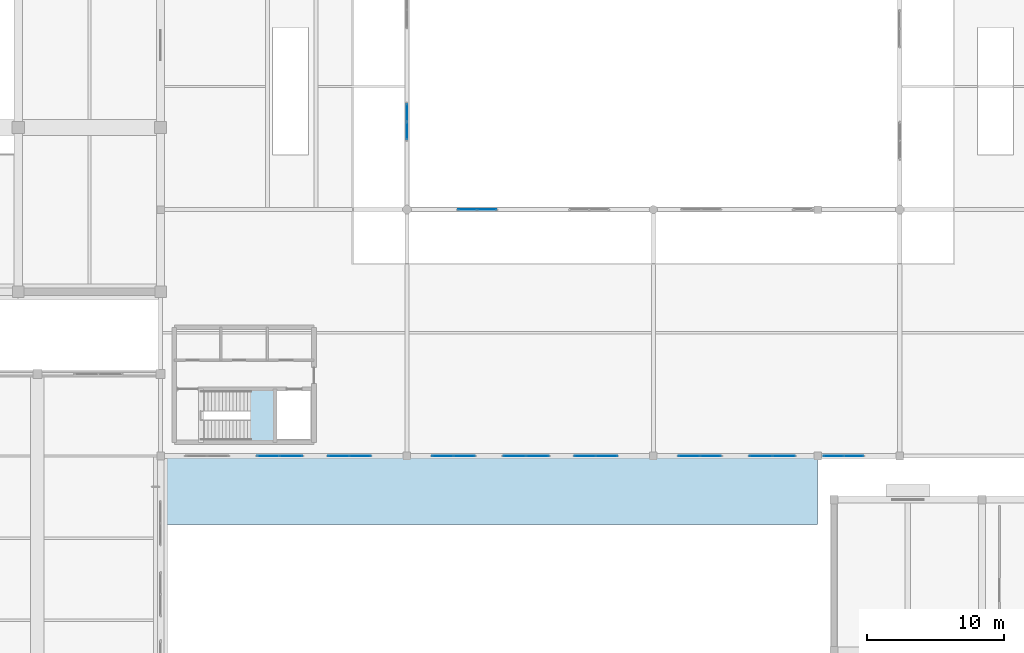
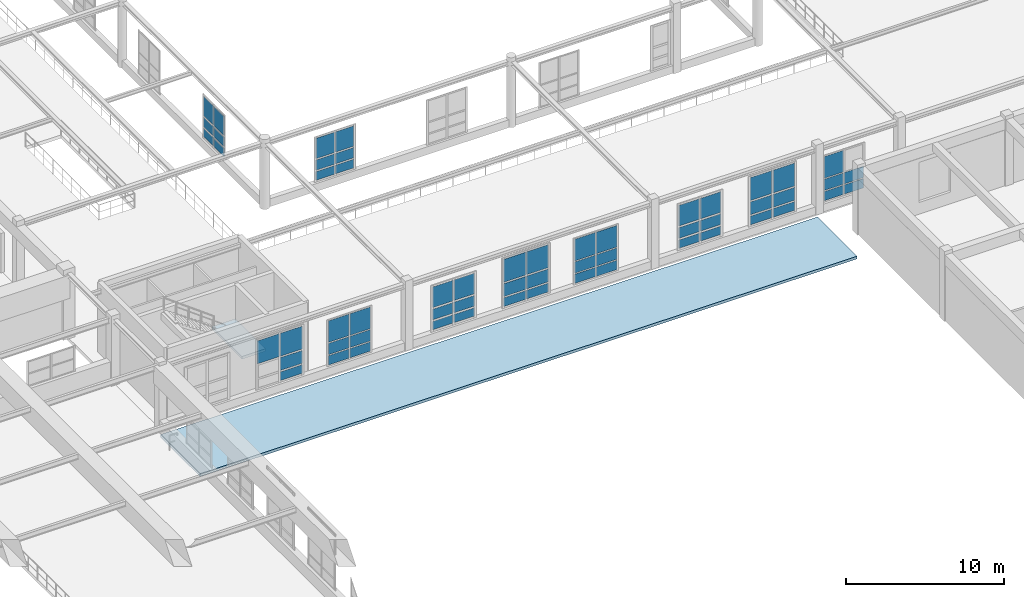
# One storey, part 157 of 197: 57 plates, 2 slabs, 11 elements without a shape of their own.
"""IFC4 building model written with IfcOpenShell, lengths in metres."""

from ifc_helpers import new_model, si_unit, derived_unit, direction, frame, origin, origin_2d, place, context, subcontext, project, spatial, polyline, rectangle, outline, extrude, material, layer, layer_set, type_object, element, aggregate, save


model = new_model("IFC4")

# Units and contexts
model_context = context("Model", 3, precision=1e-05, world=origin(), true_north=direction((0.0, 1.0)))
body_context = subcontext(model_context, "Body", "Model", "MODEL_VIEW")
ifc_project = project(units=[si_unit("LENGTHUNIT", "METRE"), si_unit("AREAUNIT", "SQUARE_METRE"), si_unit("VOLUMEUNIT", "CUBIC_METRE"), si_unit("PLANEANGLEUNIT", "RADIAN"), si_unit("MASSUNIT", "GRAM", prefix="KILO"), derived_unit("THERMALTRANSMITTANCEUNIT", [(si_unit("POWERUNIT", "WATT"), 1), (si_unit("LENGTHUNIT", "METRE"), -2), (si_unit("THERMODYNAMICTEMPERATUREUNIT", "KELVIN"), -1)])], contexts=[model_context])

# Site, building, storey
site_placement = place(None, origin())
site = spatial("IfcSite", under=ifc_project, at=site_placement, CompositionType="ELEMENT")
building_placement = place(site_placement, origin())
building = spatial("IfcBuilding", under=site, at=building_placement, Name="Almenara Railside Exhibition Hall", CompositionType="ELEMENT")
storey_placement = place(building_placement, frame((0.0, 0.0, 5.39990234375)))
storey = spatial("IfcBuildingStorey", under=building, at=storey_placement, Name="L01", CompositionType="ELEMENT", Elevation=5.39990234375)

# Curtain wall, plates
ifc_material_1 = material(Name="Bronze-anodised aluminium and low-E double glazing", Category="aluminium")
ifc_layer_1 = layer(ifc_material_1, 0.179931640625, Name="Bronze-anodised aluminium and low-E double glazing")
ifc_layer_set_1 = layer_set([ifc_layer_1], Name="Bronze-anodised aluminium and low-E double glazing")
curtain_wall_type_1 = type_object("IfcCurtainWallType", Name="Concourse Upper Portale Curtain Wall 3400x3900", PredefinedType="NOTDEFINED", material=ifc_layer_set_1)
curtain_wall_1_placement = place(storey_placement, origin())
curtain_wall_1 = element("IfcCurtainWall", 1, at=curtain_wall_1_placement, inside=storey, type_object=curtain_wall_type_1, Name="Curtain wall CW-PC2-120", PredefinedType="NOTDEFINED")
ifc_material_2 = material(Name="Solar-control acoustic laminated glazing", Category="glass")
ifc_layer_2 = layer(ifc_material_2, 0.031982421875, Name="Solar-control acoustic laminated glazing")
ifc_layer_set_2 = layer_set([ifc_layer_2], Name="Solar-control acoustic laminated glazing")
plate_type_1 = type_object("IfcPlateType", Name="Acoustic Low-E Double Glazing Panel 32mm", PredefinedType="CURTAIN_PANEL", material=ifc_layer_set_2)
plate_1_placement = place(storey_placement, frame((73.8662109375, 36.0, 2.60400390625), z_axis=(0.0, 0.0, 1.0), x_axis=(1.0, 0.0, 0.0)))
plate_1 = element("IfcPlate", 2, at=plate_1_placement, type_object=plate_type_1, Name="CW-PC2-120 panel 1.3", PredefinedType="CURTAIN_PANEL", context=body_context, shape_type="SweptSolid", body=[
    extrude(rectangle(XDim=1.618408203125, YDim=0.031982421875, at=origin_2d()), origin(), (0.0, 0.0, 1.0), 1.77197265625),
])
plate_2_placement = place(storey_placement, frame((75.53369140625, 36.0, 0.72412109375), z_axis=(0.0, 0.0, 1.0), x_axis=(1.0, 0.0, 0.0)))
plate_2 = element("IfcPlate", 3, at=plate_2_placement, type_object=plate_type_1, Name="CW-PC2-120 panel 2.1", PredefinedType="CURTAIN_PANEL", context=body_context, shape_type="SweptSolid", body=[
    extrude(rectangle(XDim=1.618408203125, YDim=0.031982421875, at=origin_2d()), origin(), (0.0, 0.0, 1.0), 0.672119140625),
])
plate_3_placement = place(storey_placement, frame((75.53369140625, 36.0, 1.50390625), z_axis=(0.0, 0.0, 1.0), x_axis=(1.0, 0.0, 0.0)))
plate_3 = element("IfcPlate", 4, at=plate_3_placement, type_object=plate_type_1, Name="CW-PC2-120 panel 2.2", PredefinedType="CURTAIN_PANEL", context=body_context, shape_type="SweptSolid", body=[
    extrude(rectangle(XDim=1.618408203125, YDim=0.031982421875, at=origin_2d()), origin(), (0.0, 0.0, 1.0), 0.991943359375),
])
plate_4_placement = place(storey_placement, frame((75.53369140625, 36.0, 2.60400390625), z_axis=(0.0, 0.0, 1.0), x_axis=(1.0, 0.0, 0.0)))
plate_4 = element("IfcPlate", 5, at=plate_4_placement, type_object=plate_type_1, Name="CW-PC2-120 panel 2.3", PredefinedType="CURTAIN_PANEL", context=body_context, shape_type="SweptSolid", body=[
    extrude(rectangle(XDim=1.618408203125, YDim=0.031982421875, at=origin_2d()), origin(), (0.0, 0.0, 1.0), 1.77197265625),
])
aggregate(curtain_wall_1, [plate_1, plate_2, plate_3, plate_4])

ifc_layer_3 = layer(ifc_material_1, 0.179931640625, Name="Bronze-anodised aluminium and low-E double glazing")
ifc_layer_set_3 = layer_set([ifc_layer_3], Name="Bronze-anodised aluminium and low-E double glazing")
curtain_wall_type_2 = type_object("IfcCurtainWallType", Name="Concourse Bridge Curtain Wall 3200x3600", PredefinedType="NOTDEFINED", material=ifc_layer_set_3)
curtain_wall_2_placement = place(storey_placement, origin())
curtain_wall_2 = element("IfcCurtainWall", 6, at=curtain_wall_2_placement, inside=storey, type_object=curtain_wall_type_2, Name="Curtain wall CW-PC3-135", PredefinedType="NOTDEFINED")
plate_5_placement = place(storey_placement, frame((104.617431640625, 36.0, 0.744140625), z_axis=(0.0, 0.0, 1.0), x_axis=(1.0, 0.0, 0.0)))
plate_5 = element("IfcPlate", 7, at=plate_5_placement, type_object=plate_type_1, Name="CW-PC3-135 panel 1.1", PredefinedType="CURTAIN_PANEL", context=body_context, shape_type="SweptSolid", body=[
    extrude(rectangle(XDim=1.510986328125, YDim=0.031982421875, at=origin_2d()), origin(), (0.0, 0.0, 1.0), 0.64208984375),
])
plate_6_placement = place(storey_placement, frame((104.617431640625, 36.0, 1.51416015625), z_axis=(0.0, 0.0, 1.0), x_axis=(1.0, 0.0, 0.0)))
plate_6 = element("IfcPlate", 8, at=plate_6_placement, type_object=plate_type_1, Name="CW-PC3-135 panel 1.2", PredefinedType="CURTAIN_PANEL", context=body_context, shape_type="SweptSolid", body=[
    extrude(rectangle(XDim=1.510986328125, YDim=0.031982421875, at=origin_2d()), origin(), (0.0, 0.0, 1.0), 0.822021484375),
])
plate_7_placement = place(storey_placement, frame((104.617431640625, 36.0, 2.4638671875), z_axis=(0.0, 0.0, 1.0), x_axis=(1.0, 0.0, 0.0)))
plate_7 = element("IfcPlate", 9, at=plate_7_placement, type_object=plate_type_1, Name="CW-PC3-135 panel 1.3", PredefinedType="CURTAIN_PANEL", context=body_context, shape_type="SweptSolid", body=[
    extrude(rectangle(XDim=1.510986328125, YDim=0.031982421875, at=origin_2d()), origin(), (0.0, 0.0, 1.0), 1.592041015625),
])
plate_8_placement = place(storey_placement, frame((106.1826171875, 36.0, 0.744140625), z_axis=(0.0, 0.0, 1.0), x_axis=(1.0, 0.0, 0.0)))
plate_8 = element("IfcPlate", 10, at=plate_8_placement, type_object=plate_type_1, Name="CW-PC3-135 panel 2.1", PredefinedType="CURTAIN_PANEL", context=body_context, shape_type="SweptSolid", body=[
    extrude(rectangle(XDim=1.510986328125, YDim=0.031982421875, at=origin_2d()), origin(), (0.0, 0.0, 1.0), 0.64208984375),
])
plate_9_placement = place(storey_placement, frame((106.1826171875, 36.0, 1.51416015625), z_axis=(0.0, 0.0, 1.0), x_axis=(1.0, 0.0, 0.0)))
plate_9 = element("IfcPlate", 11, at=plate_9_placement, type_object=plate_type_1, Name="CW-PC3-135 panel 2.2", PredefinedType="CURTAIN_PANEL", context=body_context, shape_type="SweptSolid", body=[
    extrude(rectangle(XDim=1.510986328125, YDim=0.031982421875, at=origin_2d()), origin(), (0.0, 0.0, 1.0), 0.822021484375),
])
plate_10_placement = place(storey_placement, frame((106.1826171875, 36.0, 2.4638671875), z_axis=(0.0, 0.0, 1.0), x_axis=(1.0, 0.0, 0.0)))
plate_10 = element("IfcPlate", 12, at=plate_10_placement, type_object=plate_type_1, Name="CW-PC3-135 panel 2.3", PredefinedType="CURTAIN_PANEL", context=body_context, shape_type="SweptSolid", body=[
    extrude(rectangle(XDim=1.510986328125, YDim=0.031982421875, at=origin_2d()), origin(), (0.0, 0.0, 1.0), 1.592041015625),
])
aggregate(curtain_wall_2, [plate_5, plate_6, plate_7, plate_8, plate_9, plate_10])

# Slab
ifc_material_3 = material(Name="White standing-seam over Concrete C35/45 vault deck", Category="concrete")
ifc_layer_4 = layer(ifc_material_3, 0.2099609375, Name="White standing-seam over Concrete C35/45 vault deck")
ifc_layer_set_4 = layer_set([ifc_layer_4], Name="White standing-seam over Concrete C35/45 vault deck")
slab_type_1 = type_object("IfcSlabType", Name="Concourse Barrel-Vault Roof Slab 210mm C35/45", PredefinedType="ROOF", material=ifc_layer_set_4)
slab_1_placement = place(storey_placement, frame((0.0, 0.0, -0.599853515625)))
element("IfcSlab", 13, at=slab_1_placement, inside=storey, type_object=slab_type_1, Name="South Forecourt main entrance canopy 027", PredefinedType="ROOF", context=body_context, shape_type="SweptSolid", body=[
    extrude(outline(polyline([(66.0, 31.0), (114.0, 31.0), (114.0, 36.0), (66.0, 36.0), (66.0, 31.0)])), origin(), (0.0, 0.0, 1.0), 0.2099609375),
])

# Curtain wall, plates
curtain_wall_3_placement = place(storey_placement, origin())
curtain_wall_3 = element("IfcCurtainWall", 14, at=curtain_wall_3_placement, inside=storey, type_object=curtain_wall_type_2, Name="Curtain wall CW-PC3-127", PredefinedType="NOTDEFINED")
ifc_material_4 = material(Name="Clear low-E laminated double glazing", Category="glass")
ifc_layer_5 = layer(ifc_material_4, 0.02392578125, Name="Clear low-E laminated double glazing")
ifc_layer_set_5 = layer_set([ifc_layer_5], Name="Clear low-E laminated double glazing")
plate_type_2 = type_object("IfcPlateType", Name="Courtyard Clear Double Glazing Panel 24mm", PredefinedType="CURTAIN_PANEL", material=ifc_layer_set_5)
plate_11_placement = place(storey_placement, frame((86.617431640625, 36.0, 0.744140625), z_axis=(0.0, 0.0, 1.0), x_axis=(1.0, 0.0, 0.0)))
plate_11 = element("IfcPlate", 15, at=plate_11_placement, type_object=plate_type_2, Name="CW-PC3-127 panel 1.1", PredefinedType="CURTAIN_PANEL", context=body_context, shape_type="SweptSolid", body=[
    extrude(rectangle(XDim=1.510986328125, YDim=0.02392578125, at=origin_2d()), origin(), (0.0, 0.0, 1.0), 0.64208984375),
])
plate_12_placement = place(storey_placement, frame((86.617431640625, 36.0, 1.51416015625), z_axis=(0.0, 0.0, 1.0), x_axis=(1.0, 0.0, 0.0)))
plate_12 = element("IfcPlate", 16, at=plate_12_placement, type_object=plate_type_2, Name="CW-PC3-127 panel 1.2", PredefinedType="CURTAIN_PANEL", context=body_context, shape_type="SweptSolid", body=[
    extrude(rectangle(XDim=1.510986328125, YDim=0.02392578125, at=origin_2d()), origin(), (0.0, 0.0, 1.0), 0.822021484375),
])
plate_13_placement = place(storey_placement, frame((86.617431640625, 36.0, 2.4638671875), z_axis=(0.0, 0.0, 1.0), x_axis=(1.0, 0.0, 0.0)))
plate_13 = element("IfcPlate", 17, at=plate_13_placement, type_object=plate_type_2, Name="CW-PC3-127 panel 1.3", PredefinedType="CURTAIN_PANEL", context=body_context, shape_type="SweptSolid", body=[
    extrude(rectangle(XDim=1.510986328125, YDim=0.02392578125, at=origin_2d()), origin(), (0.0, 0.0, 1.0), 1.592041015625),
])
plate_14_placement = place(storey_placement, frame((88.1826171875, 36.0, 0.744140625), z_axis=(0.0, 0.0, 1.0), x_axis=(1.0, 0.0, 0.0)))
plate_14 = element("IfcPlate", 18, at=plate_14_placement, type_object=plate_type_2, Name="CW-PC3-127 panel 2.1", PredefinedType="CURTAIN_PANEL", context=body_context, shape_type="SweptSolid", body=[
    extrude(rectangle(XDim=1.510986328125, YDim=0.02392578125, at=origin_2d()), origin(), (0.0, 0.0, 1.0), 0.64208984375),
])
plate_15_placement = place(storey_placement, frame((88.1826171875, 36.0, 1.51416015625), z_axis=(0.0, 0.0, 1.0), x_axis=(1.0, 0.0, 0.0)))
plate_15 = element("IfcPlate", 19, at=plate_15_placement, type_object=plate_type_2, Name="CW-PC3-127 panel 2.2", PredefinedType="CURTAIN_PANEL", context=body_context, shape_type="SweptSolid", body=[
    extrude(rectangle(XDim=1.510986328125, YDim=0.02392578125, at=origin_2d()), origin(), (0.0, 0.0, 1.0), 0.822021484375),
])
plate_16_placement = place(storey_placement, frame((88.1826171875, 36.0, 2.4638671875), z_axis=(0.0, 0.0, 1.0), x_axis=(1.0, 0.0, 0.0)))
plate_16 = element("IfcPlate", 20, at=plate_16_placement, type_object=plate_type_2, Name="CW-PC3-127 panel 2.3", PredefinedType="CURTAIN_PANEL", context=body_context, shape_type="SweptSolid", body=[
    extrude(rectangle(XDim=1.510986328125, YDim=0.02392578125, at=origin_2d()), origin(), (0.0, 0.0, 1.0), 1.592041015625),
])
aggregate(curtain_wall_3, [plate_11, plate_12, plate_13, plate_14, plate_15, plate_16])

curtain_wall_4_placement = place(storey_placement, origin())
curtain_wall_4 = element("IfcCurtainWall", 21, at=curtain_wall_4_placement, inside=storey, type_object=curtain_wall_type_2, Name="Curtain wall CW-PC3-137", PredefinedType="NOTDEFINED")
plate_17_placement = place(storey_placement, frame((115.17626953125, 36.0, 0.69384765625), z_axis=(0.0, 0.0, 1.0), x_axis=(1.0, 0.0, 0.0)))
plate_17 = element("IfcPlate", 22, at=plate_17_placement, type_object=plate_type_2, Name="CW-PC3-137 panel 1.1", PredefinedType="CURTAIN_PANEL", context=body_context, shape_type="SweptSolid", body=[
    extrude(rectangle(XDim=1.41845703125, YDim=0.02392578125, at=origin_2d()), origin(), (0.0, 0.0, 1.0), 0.717041015625),
])
plate_18_placement = place(storey_placement, frame((115.17626953125, 36.0, 1.489013671875), z_axis=(0.0, 0.0, 1.0), x_axis=(1.0, 0.0, 0.0)))
plate_18 = element("IfcPlate", 23, at=plate_18_placement, type_object=plate_type_2, Name="CW-PC3-137 panel 1.2", PredefinedType="CURTAIN_PANEL", context=body_context, shape_type="SweptSolid", body=[
    extrude(rectangle(XDim=1.41845703125, YDim=0.02392578125, at=origin_2d()), origin(), (0.0, 0.0, 1.0), 0.8720703125),
])
plate_19_placement = place(storey_placement, frame((115.17626953125, 36.0, 2.439208984375), z_axis=(0.0, 0.0, 1.0), x_axis=(1.0, 0.0, 0.0)))
plate_19 = element("IfcPlate", 24, at=plate_19_placement, type_object=plate_type_2, Name="CW-PC3-137 panel 1.3", PredefinedType="CURTAIN_PANEL", context=body_context, shape_type="SweptSolid", body=[
    extrude(rectangle(XDim=1.41845703125, YDim=0.02392578125, at=origin_2d()), origin(), (0.0, 0.0, 1.0), 1.6669921875),
])
plate_20_placement = place(storey_placement, frame((116.638671875, 36.0, 0.69384765625), z_axis=(0.0, 0.0, 1.0), x_axis=(1.0, 0.0, 0.0)))
plate_20 = element("IfcPlate", 25, at=plate_20_placement, type_object=plate_type_2, Name="CW-PC3-137 panel 2.1", PredefinedType="CURTAIN_PANEL", context=body_context, shape_type="SweptSolid", body=[
    extrude(rectangle(XDim=1.41845703125, YDim=0.02392578125, at=origin_2d()), origin(), (0.0, 0.0, 1.0), 0.717041015625),
])
plate_21_placement = place(storey_placement, frame((116.638671875, 36.0, 1.489013671875), z_axis=(0.0, 0.0, 1.0), x_axis=(1.0, 0.0, 0.0)))
plate_21 = element("IfcPlate", 26, at=plate_21_placement, type_object=plate_type_2, Name="CW-PC3-137 panel 2.2", PredefinedType="CURTAIN_PANEL", context=body_context, shape_type="SweptSolid", body=[
    extrude(rectangle(XDim=1.41845703125, YDim=0.02392578125, at=origin_2d()), origin(), (0.0, 0.0, 1.0), 0.8720703125),
])
aggregate(curtain_wall_4, [plate_17, plate_18, plate_19, plate_20, plate_21])

curtain_wall_5_placement = place(storey_placement, origin())
curtain_wall_5 = element("IfcCurtainWall", 27, at=curtain_wall_5_placement, inside=storey, type_object=curtain_wall_type_1, Name="Curtain wall CW-PC2-128", PredefinedType="NOTDEFINED")
ifc_material_5 = material(Name="Bronze-anodised insulated aluminium spandrel", Category="aluminium")
ifc_layer_6 = layer(ifc_material_5, 0.0400390625, Name="Bronze-anodised insulated aluminium spandrel")
ifc_layer_set_6 = layer_set([ifc_layer_6], Name="Bronze-anodised insulated aluminium spandrel")
plate_type_3 = type_object("IfcPlateType", Name="Insulated Bronze Spandrel Panel 40mm", PredefinedType="CURTAIN_PANEL", material=ifc_layer_set_6)
plate_22_placement = place(storey_placement, frame((91.8662109375, 36.0, 0.72412109375), z_axis=(0.0, 0.0, 1.0), x_axis=(1.0, 0.0, 0.0)))
plate_22 = element("IfcPlate", 28, at=plate_22_placement, type_object=plate_type_3, Name="CW-PC2-128 panel 1.1", PredefinedType="CURTAIN_PANEL", context=body_context, shape_type="SweptSolid", body=[
    extrude(rectangle(XDim=1.618408203125, YDim=0.0400390625, at=origin_2d()), origin(), (0.0, 0.0, 1.0), 0.672119140625),
])
plate_23_placement = place(storey_placement, frame((91.8662109375, 36.0, 1.50390625), z_axis=(0.0, 0.0, 1.0), x_axis=(1.0, 0.0, 0.0)))
plate_23 = element("IfcPlate", 29, at=plate_23_placement, type_object=plate_type_3, Name="CW-PC2-128 panel 1.2", PredefinedType="CURTAIN_PANEL", context=body_context, shape_type="SweptSolid", body=[
    extrude(rectangle(XDim=1.618408203125, YDim=0.0400390625, at=origin_2d()), origin(), (0.0, 0.0, 1.0), 0.991943359375),
])
plate_24_placement = place(storey_placement, frame((91.8662109375, 36.0, 2.60400390625), z_axis=(0.0, 0.0, 1.0), x_axis=(1.0, 0.0, 0.0)))
plate_24 = element("IfcPlate", 30, at=plate_24_placement, type_object=plate_type_3, Name="CW-PC2-128 panel 1.3", PredefinedType="CURTAIN_PANEL", context=body_context, shape_type="SweptSolid", body=[
    extrude(rectangle(XDim=1.618408203125, YDim=0.0400390625, at=origin_2d()), origin(), (0.0, 0.0, 1.0), 1.77197265625),
])
plate_25_placement = place(storey_placement, frame((93.53369140625, 36.0, 0.72412109375), z_axis=(0.0, 0.0, 1.0), x_axis=(1.0, 0.0, 0.0)))
plate_25 = element("IfcPlate", 31, at=plate_25_placement, type_object=plate_type_3, Name="CW-PC2-128 panel 2.1", PredefinedType="CURTAIN_PANEL", context=body_context, shape_type="SweptSolid", body=[
    extrude(rectangle(XDim=1.618408203125, YDim=0.0400390625, at=origin_2d()), origin(), (0.0, 0.0, 1.0), 0.672119140625),
])
plate_26_placement = place(storey_placement, frame((93.53369140625, 36.0, 1.50390625), z_axis=(0.0, 0.0, 1.0), x_axis=(1.0, 0.0, 0.0)))
plate_26 = element("IfcPlate", 32, at=plate_26_placement, type_object=plate_type_3, Name="CW-PC2-128 panel 2.2", PredefinedType="CURTAIN_PANEL", context=body_context, shape_type="SweptSolid", body=[
    extrude(rectangle(XDim=1.618408203125, YDim=0.0400390625, at=origin_2d()), origin(), (0.0, 0.0, 1.0), 0.991943359375),
])
plate_27_placement = place(storey_placement, frame((93.53369140625, 36.0, 2.60400390625), z_axis=(0.0, 0.0, 1.0), x_axis=(1.0, 0.0, 0.0)))
plate_27 = element("IfcPlate", 33, at=plate_27_placement, type_object=plate_type_3, Name="CW-PC2-128 panel 2.3", PredefinedType="CURTAIN_PANEL", context=body_context, shape_type="SweptSolid", body=[
    extrude(rectangle(XDim=1.618408203125, YDim=0.0400390625, at=origin_2d()), origin(), (0.0, 0.0, 1.0), 1.77197265625),
])
aggregate(curtain_wall_5, [plate_22, plate_23, plate_24, plate_25, plate_26, plate_27])

curtain_wall_6_placement = place(storey_placement, origin())
curtain_wall_6 = element("IfcCurtainWall", 34, at=curtain_wall_6_placement, inside=storey, type_object=curtain_wall_type_2, Name="Curtain wall CW-PC3-129", PredefinedType="NOTDEFINED")
ifc_layer_7 = layer(ifc_material_5, 0.034912109375, Name="Bronze-anodised insulated aluminium spandrel")
ifc_layer_set_7 = layer_set([ifc_layer_7], Name="Bronze-anodised insulated aluminium spandrel")
plate_type_4 = type_object("IfcPlateType", Name="Insulated Stucco-Tone Spandrel Panel 35mm", PredefinedType="CURTAIN_PANEL", material=ifc_layer_set_7)
plate_28_placement = place(storey_placement, frame((97.014892578125, 36.0, 0.69384765625), z_axis=(0.0, 0.0, 1.0), x_axis=(1.0, 0.0, 0.0)))
plate_28 = element("IfcPlate", 35, at=plate_28_placement, type_object=plate_type_4, Name="CW-PC3-129 panel 1.1", PredefinedType="CURTAIN_PANEL", context=body_context, shape_type="SweptSolid", body=[
    extrude(rectangle(XDim=1.52587890625, YDim=0.034912109375, at=origin_2d()), origin(), (0.0, 0.0, 1.0), 0.717041015625),
])
plate_29_placement = place(storey_placement, frame((97.014892578125, 36.0, 1.489013671875), z_axis=(0.0, 0.0, 1.0), x_axis=(1.0, 0.0, 0.0)))
plate_29 = element("IfcPlate", 36, at=plate_29_placement, type_object=plate_type_4, Name="CW-PC3-129 panel 1.2", PredefinedType="CURTAIN_PANEL", context=body_context, shape_type="SweptSolid", body=[
    extrude(rectangle(XDim=1.52587890625, YDim=0.034912109375, at=origin_2d()), origin(), (0.0, 0.0, 1.0), 0.8720703125),
])
plate_30_placement = place(storey_placement, frame((97.014892578125, 36.0, 2.439208984375), z_axis=(0.0, 0.0, 1.0), x_axis=(1.0, 0.0, 0.0)))
plate_30 = element("IfcPlate", 37, at=plate_30_placement, type_object=plate_type_4, Name="CW-PC3-129 panel 1.3", PredefinedType="CURTAIN_PANEL", context=body_context, shape_type="SweptSolid", body=[
    extrude(rectangle(XDim=1.52587890625, YDim=0.034912109375, at=origin_2d()), origin(), (0.0, 0.0, 1.0), 1.6669921875),
])
plate_31_placement = place(storey_placement, frame((98.5849609375, 36.0, 0.69384765625), z_axis=(0.0, 0.0, 1.0), x_axis=(1.0, 0.0, 0.0)))
plate_31 = element("IfcPlate", 38, at=plate_31_placement, type_object=plate_type_4, Name="CW-PC3-129 panel 2.1", PredefinedType="CURTAIN_PANEL", context=body_context, shape_type="SweptSolid", body=[
    extrude(rectangle(XDim=1.52587890625, YDim=0.034912109375, at=origin_2d()), origin(), (0.0, 0.0, 1.0), 0.717041015625),
])
plate_32_placement = place(storey_placement, frame((98.5849609375, 36.0, 1.489013671875), z_axis=(0.0, 0.0, 1.0), x_axis=(1.0, 0.0, 0.0)))
plate_32 = element("IfcPlate", 39, at=plate_32_placement, type_object=plate_type_4, Name="CW-PC3-129 panel 2.2", PredefinedType="CURTAIN_PANEL", context=body_context, shape_type="SweptSolid", body=[
    extrude(rectangle(XDim=1.52587890625, YDim=0.034912109375, at=origin_2d()), origin(), (0.0, 0.0, 1.0), 0.8720703125),
])
plate_33_placement = place(storey_placement, frame((98.5849609375, 36.0, 2.439208984375), z_axis=(0.0, 0.0, 1.0), x_axis=(1.0, 0.0, 0.0)))
plate_33 = element("IfcPlate", 40, at=plate_33_placement, type_object=plate_type_4, Name="CW-PC3-129 panel 2.3", PredefinedType="CURTAIN_PANEL", context=body_context, shape_type="SweptSolid", body=[
    extrude(rectangle(XDim=1.52587890625, YDim=0.034912109375, at=origin_2d()), origin(), (0.0, 0.0, 1.0), 1.6669921875),
])
aggregate(curtain_wall_6, [plate_28, plate_29, plate_30, plate_31, plate_32, plate_33])

ifc_layer_8 = layer(ifc_material_1, 0.179931640625, Name="Bronze-anodised aluminium and low-E double glazing")
ifc_layer_set_8 = layer_set([ifc_layer_8], Name="Bronze-anodised aluminium and low-E double glazing")
curtain_wall_type_3 = type_object("IfcCurtainWallType", Name="Courtyard East Galeria Curtain Wall 2900x3500", PredefinedType="NOTDEFINED", material=ifc_layer_set_8)
curtain_wall_7_placement = place(storey_placement, origin())
curtain_wall_7 = element("IfcCurtainWall", 41, at=curtain_wall_7_placement, inside=storey, type_object=curtain_wall_type_3, Name="Curtain wall CW-CY2-144", PredefinedType="NOTDEFINED")
plate_34_placement = place(storey_placement, frame((88.423095703125, 54.0, 0.72412109375), z_axis=(0.0, 0.0, 1.0), x_axis=(1.0, 0.0, 0.0)))
plate_34 = element("IfcPlate", 42, at=plate_34_placement, type_object=plate_type_4, Name="CW-CY2-144 panel 1.1", PredefinedType="CURTAIN_PANEL", context=body_context, shape_type="SweptSolid", body=[
    extrude(rectangle(XDim=1.368408203125, YDim=0.034912109375, at=origin_2d()), origin(), (0.0, 0.0, 1.0), 0.672119140625),
])
plate_35_placement = place(storey_placement, frame((88.423095703125, 54.0, 1.504150390625), z_axis=(0.0, 0.0, 1.0), x_axis=(1.0, 0.0, 0.0)))
plate_35 = element("IfcPlate", 43, at=plate_35_placement, type_object=plate_type_4, Name="CW-CY2-144 panel 1.2", PredefinedType="CURTAIN_PANEL", context=body_context, shape_type="SweptSolid", body=[
    extrude(rectangle(XDim=1.368408203125, YDim=0.034912109375, at=origin_2d()), origin(), (0.0, 0.0, 1.0), 0.7919921875),
])
plate_36_placement = place(storey_placement, frame((88.423095703125, 54.0, 2.404296875), z_axis=(0.0, 0.0, 1.0), x_axis=(1.0, 0.0, 0.0)))
plate_36 = element("IfcPlate", 44, at=plate_36_placement, type_object=plate_type_4, Name="CW-CY2-144 panel 1.3", PredefinedType="CURTAIN_PANEL", context=body_context, shape_type="SweptSolid", body=[
    extrude(rectangle(XDim=1.368408203125, YDim=0.034912109375, at=origin_2d()), origin(), (0.0, 0.0, 1.0), 1.572021484375),
])
plate_37_placement = place(storey_placement, frame((89.840576171875, 54.0, 0.72412109375), z_axis=(0.0, 0.0, 1.0), x_axis=(1.0, 0.0, 0.0)))
plate_37 = element("IfcPlate", 45, at=plate_37_placement, type_object=plate_type_4, Name="CW-CY2-144 panel 2.1", PredefinedType="CURTAIN_PANEL", context=body_context, shape_type="SweptSolid", body=[
    extrude(rectangle(XDim=1.368408203125, YDim=0.034912109375, at=origin_2d()), origin(), (0.0, 0.0, 1.0), 0.672119140625),
])
plate_38_placement = place(storey_placement, frame((89.840576171875, 54.0, 1.504150390625), z_axis=(0.0, 0.0, 1.0), x_axis=(1.0, 0.0, 0.0)))
plate_38 = element("IfcPlate", 46, at=plate_38_placement, type_object=plate_type_4, Name="CW-CY2-144 panel 2.2", PredefinedType="CURTAIN_PANEL", context=body_context, shape_type="SweptSolid", body=[
    extrude(rectangle(XDim=1.368408203125, YDim=0.034912109375, at=origin_2d()), origin(), (0.0, 0.0, 1.0), 0.7919921875),
])
plate_39_placement = place(storey_placement, frame((89.840576171875, 54.0, 2.404296875), z_axis=(0.0, 0.0, 1.0), x_axis=(1.0, 0.0, 0.0)))
plate_39 = element("IfcPlate", 47, at=plate_39_placement, type_object=plate_type_4, Name="CW-CY2-144 panel 2.3", PredefinedType="CURTAIN_PANEL", context=body_context, shape_type="SweptSolid", body=[
    extrude(rectangle(XDim=1.368408203125, YDim=0.034912109375, at=origin_2d()), origin(), (0.0, 0.0, 1.0), 1.572021484375),
])
aggregate(curtain_wall_7, [plate_34, plate_35, plate_36, plate_37, plate_38, plate_39])

ifc_layer_9 = layer(ifc_material_1, 0.179931640625, Name="Bronze-anodised aluminium and low-E double glazing")
ifc_layer_set_9 = layer_set([ifc_layer_9], Name="Bronze-anodised aluminium and low-E double glazing")
curtain_wall_type_4 = type_object("IfcCurtainWallType", Name="Courtyard South Galeria Curtain Wall 2700x3400", PredefinedType="NOTDEFINED", material=ifc_layer_set_9)
curtain_wall_8_placement = place(storey_placement, origin())
curtain_wall_8 = element("IfcCurtainWall", 48, at=curtain_wall_8_placement, inside=storey, type_object=curtain_wall_type_4, Name="Curtain wall CW-CY3-159", PredefinedType="NOTDEFINED")
plate_40_placement = place(storey_placement, frame((84.0, 61.080078125, 0.744140625), z_axis=(0.0, 0.0, 1.0), x_axis=(0.0, -1.0, 0.0)))
plate_40 = element("IfcPlate", 49, at=plate_40_placement, type_object=plate_type_4, Name="CW-CY3-159 panel 1.1", PredefinedType="CURTAIN_PANEL", context=body_context, shape_type="SweptSolid", body=[
    extrude(rectangle(XDim=1.260986328125, YDim=0.034912109375, at=origin_2d()), origin(), (0.0, 0.0, 1.0), 0.64208984375),
])
plate_41_placement = place(storey_placement, frame((84.0, 61.080078125, 1.51416015625), z_axis=(0.0, 0.0, 1.0), x_axis=(0.0, -1.0, 0.0)))
plate_41 = element("IfcPlate", 50, at=plate_41_placement, type_object=plate_type_4, Name="CW-CY3-159 panel 1.2", PredefinedType="CURTAIN_PANEL", context=body_context, shape_type="SweptSolid", body=[
    extrude(rectangle(XDim=1.260986328125, YDim=0.034912109375, at=origin_2d()), origin(), (0.0, 0.0, 1.0), 0.721923828125),
])
plate_42_placement = place(storey_placement, frame((84.0, 61.080078125, 2.3642578125), z_axis=(0.0, 0.0, 1.0), x_axis=(0.0, -1.0, 0.0)))
plate_42 = element("IfcPlate", 51, at=plate_42_placement, type_object=plate_type_4, Name="CW-CY3-159 panel 1.3", PredefinedType="CURTAIN_PANEL", context=body_context, shape_type="SweptSolid", body=[
    extrude(rectangle(XDim=1.260986328125, YDim=0.034912109375, at=origin_2d()), origin(), (0.0, 0.0, 1.0), 1.491943359375),
])
plate_43_placement = place(storey_placement, frame((84.0, 59.76513671875, 0.744140625), z_axis=(0.0, 0.0, 1.0), x_axis=(0.0, -1.0, 0.0)))
plate_43 = element("IfcPlate", 52, at=plate_43_placement, type_object=plate_type_4, Name="CW-CY3-159 panel 2.1", PredefinedType="CURTAIN_PANEL", context=body_context, shape_type="SweptSolid", body=[
    extrude(rectangle(XDim=1.260986328125, YDim=0.034912109375, at=origin_2d()), origin(), (0.0, 0.0, 1.0), 0.64208984375),
])
plate_44_placement = place(storey_placement, frame((84.0, 59.76513671875, 1.51416015625), z_axis=(0.0, 0.0, 1.0), x_axis=(0.0, -1.0, 0.0)))
plate_44 = element("IfcPlate", 53, at=plate_44_placement, type_object=plate_type_4, Name="CW-CY3-159 panel 2.2", PredefinedType="CURTAIN_PANEL", context=body_context, shape_type="SweptSolid", body=[
    extrude(rectangle(XDim=1.260986328125, YDim=0.034912109375, at=origin_2d()), origin(), (0.0, 0.0, 1.0), 0.721923828125),
])
plate_45_placement = place(storey_placement, frame((84.0, 59.76513671875, 2.3642578125), z_axis=(0.0, 0.0, 1.0), x_axis=(0.0, -1.0, 0.0)))
plate_45 = element("IfcPlate", 54, at=plate_45_placement, type_object=plate_type_4, Name="CW-CY3-159 panel 2.3", PredefinedType="CURTAIN_PANEL", context=body_context, shape_type="SweptSolid", body=[
    extrude(rectangle(XDim=1.260986328125, YDim=0.034912109375, at=origin_2d()), origin(), (0.0, 0.0, 1.0), 1.491943359375),
])
aggregate(curtain_wall_8, [plate_40, plate_41, plate_42, plate_43, plate_44, plate_45])

curtain_wall_9_placement = place(storey_placement, origin())
curtain_wall_9 = element("IfcCurtainWall", 55, at=curtain_wall_9_placement, inside=storey, type_object=curtain_wall_type_2, Name="Curtain wall CW-PC3-121", PredefinedType="NOTDEFINED")
ifc_material_6 = material(Name="Solar-control low-E laminated double glazing", Category="glass")
ifc_layer_10 = layer(ifc_material_6, 0.028076171875, Name="Solar-control low-E laminated double glazing")
ifc_layer_set_10 = layer_set([ifc_layer_10], Name="Solar-control low-E laminated double glazing")
plate_type_5 = type_object("IfcPlateType", Name="Low-E Solar Control Double Glazing Panel 28mm", PredefinedType="CURTAIN_PANEL", material=ifc_layer_set_10)
plate_46_placement = place(storey_placement, frame((79.014892578125, 36.0, 0.69384765625), z_axis=(0.0, 0.0, 1.0), x_axis=(1.0, 0.0, 0.0)))
plate_46 = element("IfcPlate", 56, at=plate_46_placement, type_object=plate_type_5, Name="CW-PC3-121 panel 1.1", PredefinedType="CURTAIN_PANEL", context=body_context, shape_type="SweptSolid", body=[
    extrude(rectangle(XDim=1.52587890625, YDim=0.028076171875, at=origin_2d()), origin(), (0.0, 0.0, 1.0), 0.717041015625),
])
plate_47_placement = place(storey_placement, frame((79.014892578125, 36.0, 1.489013671875), z_axis=(0.0, 0.0, 1.0), x_axis=(1.0, 0.0, 0.0)))
plate_47 = element("IfcPlate", 57, at=plate_47_placement, type_object=plate_type_5, Name="CW-PC3-121 panel 1.2", PredefinedType="CURTAIN_PANEL", context=body_context, shape_type="SweptSolid", body=[
    extrude(rectangle(XDim=1.52587890625, YDim=0.028076171875, at=origin_2d()), origin(), (0.0, 0.0, 1.0), 0.8720703125),
])
plate_48_placement = place(storey_placement, frame((79.014892578125, 36.0, 2.439208984375), z_axis=(0.0, 0.0, 1.0), x_axis=(1.0, 0.0, 0.0)))
plate_48 = element("IfcPlate", 58, at=plate_48_placement, type_object=plate_type_5, Name="CW-PC3-121 panel 1.3", PredefinedType="CURTAIN_PANEL", context=body_context, shape_type="SweptSolid", body=[
    extrude(rectangle(XDim=1.52587890625, YDim=0.028076171875, at=origin_2d()), origin(), (0.0, 0.0, 1.0), 1.6669921875),
])
plate_49_placement = place(storey_placement, frame((80.5849609375, 36.0, 0.69384765625), z_axis=(0.0, 0.0, 1.0), x_axis=(1.0, 0.0, 0.0)))
plate_49 = element("IfcPlate", 59, at=plate_49_placement, type_object=plate_type_5, Name="CW-PC3-121 panel 2.1", PredefinedType="CURTAIN_PANEL", context=body_context, shape_type="SweptSolid", body=[
    extrude(rectangle(XDim=1.52587890625, YDim=0.028076171875, at=origin_2d()), origin(), (0.0, 0.0, 1.0), 0.717041015625),
])
plate_50_placement = place(storey_placement, frame((80.5849609375, 36.0, 1.489013671875), z_axis=(0.0, 0.0, 1.0), x_axis=(1.0, 0.0, 0.0)))
plate_50 = element("IfcPlate", 60, at=plate_50_placement, type_object=plate_type_5, Name="CW-PC3-121 panel 2.2", PredefinedType="CURTAIN_PANEL", context=body_context, shape_type="SweptSolid", body=[
    extrude(rectangle(XDim=1.52587890625, YDim=0.028076171875, at=origin_2d()), origin(), (0.0, 0.0, 1.0), 0.8720703125),
])
plate_51_placement = place(storey_placement, frame((80.5849609375, 36.0, 2.439208984375), z_axis=(0.0, 0.0, 1.0), x_axis=(1.0, 0.0, 0.0)))
plate_51 = element("IfcPlate", 61, at=plate_51_placement, type_object=plate_type_5, Name="CW-PC3-121 panel 2.3", PredefinedType="CURTAIN_PANEL", context=body_context, shape_type="SweptSolid", body=[
    extrude(rectangle(XDim=1.52587890625, YDim=0.028076171875, at=origin_2d()), origin(), (0.0, 0.0, 1.0), 1.6669921875),
])
aggregate(curtain_wall_9, [plate_46, plate_47, plate_48, plate_49, plate_50, plate_51])

curtain_wall_10_placement = place(storey_placement, origin())
curtain_wall_10 = element("IfcCurtainWall", 62, at=curtain_wall_10_placement, inside=storey, type_object=curtain_wall_type_1, Name="Curtain wall CW-PC2-136", PredefinedType="NOTDEFINED")
plate_52_placement = place(storey_placement, frame((109.8662109375, 36.0, 0.72412109375), z_axis=(0.0, 0.0, 1.0), x_axis=(1.0, 0.0, 0.0)))
plate_52 = element("IfcPlate", 63, at=plate_52_placement, type_object=plate_type_5, Name="CW-PC2-136 panel 1.1", PredefinedType="CURTAIN_PANEL", context=body_context, shape_type="SweptSolid", body=[
    extrude(rectangle(XDim=1.618408203125, YDim=0.028076171875, at=origin_2d()), origin(), (0.0, 0.0, 1.0), 0.672119140625),
])
plate_53_placement = place(storey_placement, frame((109.8662109375, 36.0, 1.50390625), z_axis=(0.0, 0.0, 1.0), x_axis=(1.0, 0.0, 0.0)))
plate_53 = element("IfcPlate", 64, at=plate_53_placement, type_object=plate_type_5, Name="CW-PC2-136 panel 1.2", PredefinedType="CURTAIN_PANEL", context=body_context, shape_type="SweptSolid", body=[
    extrude(rectangle(XDim=1.618408203125, YDim=0.028076171875, at=origin_2d()), origin(), (0.0, 0.0, 1.0), 0.991943359375),
])
plate_54_placement = place(storey_placement, frame((109.8662109375, 36.0, 2.60400390625), z_axis=(0.0, 0.0, 1.0), x_axis=(1.0, 0.0, 0.0)))
plate_54 = element("IfcPlate", 65, at=plate_54_placement, type_object=plate_type_5, Name="CW-PC2-136 panel 1.3", PredefinedType="CURTAIN_PANEL", context=body_context, shape_type="SweptSolid", body=[
    extrude(rectangle(XDim=1.618408203125, YDim=0.028076171875, at=origin_2d()), origin(), (0.0, 0.0, 1.0), 1.77197265625),
])
plate_55_placement = place(storey_placement, frame((111.53369140625, 36.0, 0.72412109375), z_axis=(0.0, 0.0, 1.0), x_axis=(1.0, 0.0, 0.0)))
plate_55 = element("IfcPlate", 66, at=plate_55_placement, type_object=plate_type_5, Name="CW-PC2-136 panel 2.1", PredefinedType="CURTAIN_PANEL", context=body_context, shape_type="SweptSolid", body=[
    extrude(rectangle(XDim=1.618408203125, YDim=0.028076171875, at=origin_2d()), origin(), (0.0, 0.0, 1.0), 0.672119140625),
])
plate_56_placement = place(storey_placement, frame((111.53369140625, 36.0, 1.50390625), z_axis=(0.0, 0.0, 1.0), x_axis=(1.0, 0.0, 0.0)))
plate_56 = element("IfcPlate", 67, at=plate_56_placement, type_object=plate_type_5, Name="CW-PC2-136 panel 2.2", PredefinedType="CURTAIN_PANEL", context=body_context, shape_type="SweptSolid", body=[
    extrude(rectangle(XDim=1.618408203125, YDim=0.028076171875, at=origin_2d()), origin(), (0.0, 0.0, 1.0), 0.991943359375),
])
plate_57_placement = place(storey_placement, frame((111.53369140625, 36.0, 2.60400390625), z_axis=(0.0, 0.0, 1.0), x_axis=(1.0, 0.0, 0.0)))
plate_57 = element("IfcPlate", 68, at=plate_57_placement, type_object=plate_type_5, Name="CW-PC2-136 panel 2.3", PredefinedType="CURTAIN_PANEL", context=body_context, shape_type="SweptSolid", body=[
    extrude(rectangle(XDim=1.618408203125, YDim=0.028076171875, at=origin_2d()), origin(), (0.0, 0.0, 1.0), 1.77197265625),
])
aggregate(curtain_wall_10, [plate_52, plate_53, plate_54, plate_55, plate_56, plate_57])

# Stair, slab
ifc_material_7 = material(Name="Concrete C35/45", Category="concrete")
stair_type = type_object("IfcStairType", Name="Core Dog-Leg Escape Stair 1520mm", PredefinedType="TWO_STRAIGHT_RUN_STAIR", material=ifc_material_7)
stair_placement = place(storey_placement, origin())
stair = element("IfcStair", 69, at=stair_placement, inside=storey, type_object=stair_type, Name="Escape stair ST-C4-L01", PredefinedType="TWO_STRAIGHT_RUN_STAIR")
ifc_layer_11 = layer(ifc_material_7, 0.199951171875, Name="Concrete C35/45")
ifc_layer_set_11 = layer_set([ifc_layer_11], Name="Concrete C35/45")
slab_type_2 = type_object("IfcSlabType", Name="Stair Half-Landing Slab 200mm C35/45", PredefinedType="LANDING", material=ifc_layer_set_11)
slab_2_placement = place(storey_placement, frame((0.0, 0.0, 2.5)))
slab_2 = element("IfcSlab", 70, at=slab_2_placement, type_object=slab_type_2, Name="ST-C4-L01 landing 1", PredefinedType="LANDING", context=body_context, shape_type="SweptSolid", body=[
    extrude(outline(polyline([(72.559814453125, 37.050048828125), (74.2900390625, 37.050048828125), (74.2900390625, 40.8798828125), (72.559814453125, 40.8798828125), (72.559814453125, 37.050048828125)])), origin(), (0.0, 0.0, 1.0), 0.2001953125),
])
aggregate(stair, [slab_2])

save(model, "model.ifc")
